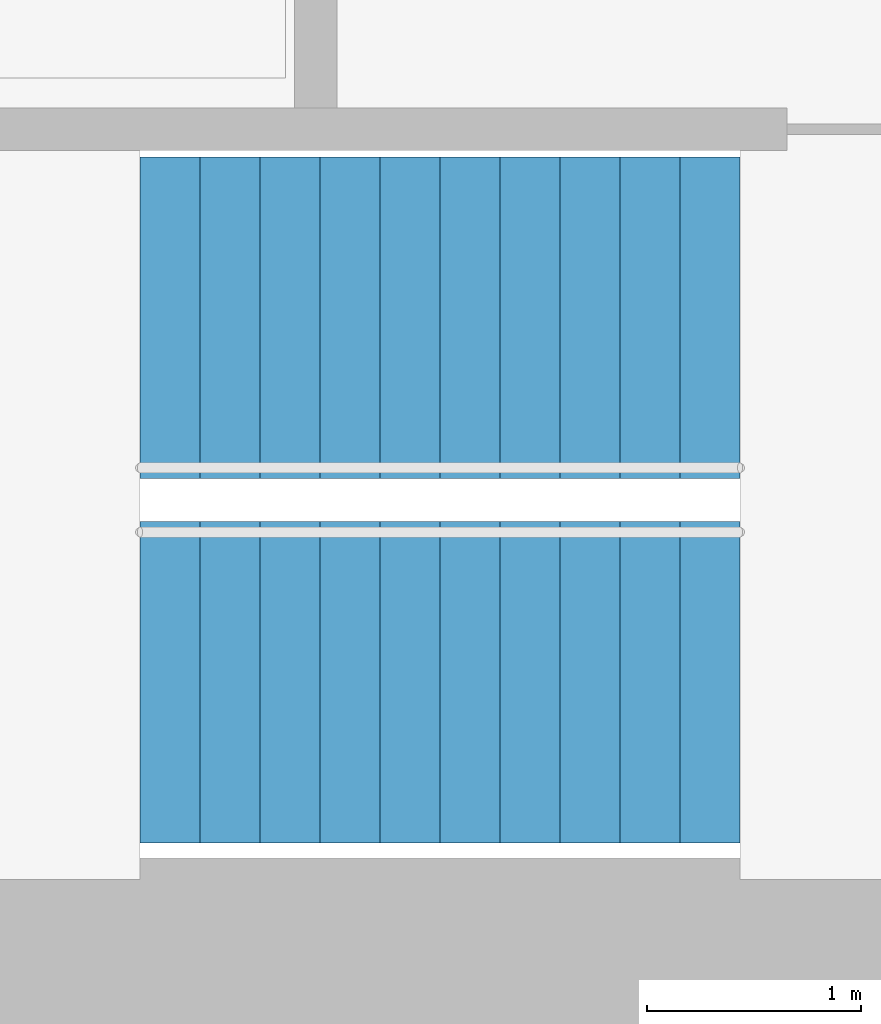
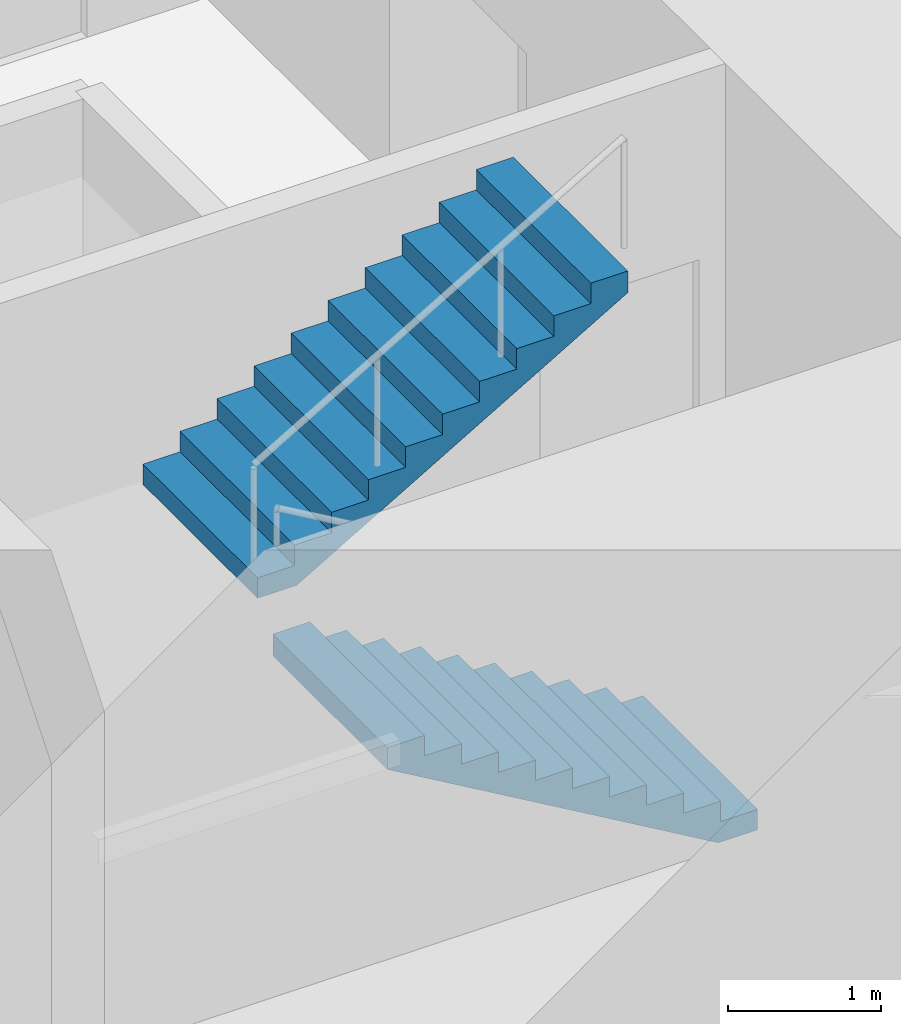
# One storey, part 14 of 15: 2 stair flights, 1 element without a shape of its own.
"""IFC4 building model written with IfcOpenShell, lengths in metres."""

from ifc_helpers import new_model, si_unit, direction, frame, origin, place, context, subcontext, project, spatial, triangles, material, type_object, element, aggregate, save


model = new_model("IFC4")

# Units and contexts
model_context = context("Model", 3, precision=1e-05, world=origin(), true_north=direction((0.0, 1.0)))
body_context = subcontext(model_context, "Body", "Model", "MODEL_VIEW")
ifc_project = project(units=[si_unit("LENGTHUNIT", "METRE"), si_unit("AREAUNIT", "SQUARE_METRE"), si_unit("VOLUMEUNIT", "CUBIC_METRE"), si_unit("PLANEANGLEUNIT", "RADIAN"), si_unit("MASSUNIT", "GRAM", prefix="KILO")], contexts=[model_context])

# Site, building, storey
site_placement = place(None, origin())
site = spatial("IfcSite", under=ifc_project, at=site_placement, CompositionType="ELEMENT")
building_placement = place(site_placement, origin())
building = spatial("IfcBuilding", under=site, at=building_placement, Name="Lantaw Convention Tower", CompositionType="ELEMENT")
storey_placement = place(building_placement, frame((0.0, 0.0, 101.800048828125)))
storey = spatial("IfcBuildingStorey", under=building, at=storey_placement, Name="L24", CompositionType="ELEMENT", Elevation=101.800048828125)

# Stair, stair flights
ifc_material = material(Name="Concrete C35/45", Category="concrete")
stair_type = type_object("IfcStairType", Name="Exit stair 1500 riser 163.64 in 2 flights", PredefinedType="HALF_TURN_STAIR", material=ifc_material)
stair_placement = place(storey_placement, origin())
stair = element("IfcStair", 1, at=stair_placement, inside=storey, type_object=stair_type, Name="Exit stair S2 L24", PredefinedType="HALF_TURN_STAIR")
stair_flight_type = type_object("IfcStairFlightType", Name="Stair flight 1500 riser 163.64", PredefinedType="STRAIGHT", material=ifc_material)
stair_flight_1_placement = place(storey_placement, frame((10.580078125, -5.97998046875, 0.0), z_axis=(0.0, 0.0, 1.0), x_axis=(-1.0, 0.0, 0.0)))
stair_flight_1 = element("IfcStairFlight", 2, at=stair_flight_1_placement, type_object=stair_flight_type, Name="S2 flight 1", NumberOfRisers=11, NumberOfTreads=10, PredefinedType="STRAIGHT", RiserHeight=0.163636364, TreadLength=0.28, context=body_context, shape_type="Tessellation", body=[
    triangles([(0.0, 0.75, 0.0), (0.0, 0.75, 0.163636364), (0.28, 0.75, 0.0), (0.28, 0.75, 0.163636364), (0.28, 0.75, 0.327272728), (0.2970904571225277, 0.75, 0.0), (0.2970904571225277, 0.75, 0.327272728), (0.56, 0.75, 0.1536484344906131), (0.56, 0.75, 0.327272728), (0.56, 0.75, 0.490909092), (0.8400000000000001, 0.75, 0.3172847984906131), (0.8400000000000001, 0.75, 0.490909092), (0.8400000000000001, 0.75, 0.654545456), (1.12, 0.75, 0.4809211624906131), (1.12, 0.75, 0.654545456), (1.12, 0.75, 0.8181818200000001), (1.4000000000000001, 0.75, 0.6445575264906132), (1.4000000000000001, 0.75, 0.8181818200000001), (1.4000000000000001, 0.75, 0.981818184), (1.6800000000000002, 0.75, 0.8081938904906131), (1.6800000000000002, 0.75, 0.981818184), (1.6800000000000002, 0.75, 1.145454548), (1.9600000000000002, 0.75, 0.9718302544906131), (1.9600000000000002, 0.75, 1.145454548), (1.9600000000000002, 0.75, 1.309090912), (2.24, 0.75, 1.135466618490613), (2.24, 0.75, 1.309090912), (2.24, 0.75, 1.472727276), (2.5200000000000005, 0.75, 1.2991029824906133), (2.5200000000000005, 0.75, 1.472727276), (2.5200000000000005, 0.75, 1.6363636400000001), (2.8000000000000003, 0.75, 1.462739346490613), (2.8000000000000003, 0.75, 1.6363636400000001), (0.0, -0.75, 0.0), (0.0, -0.75, 0.163636364), (0.28, -0.75, 0.0), (0.28, -0.75, 0.163636364), (0.28, -0.75, 0.327272728), (0.2970904571225277, -0.75, 0.0), (0.2970904571225277, -0.75, 0.327272728), (0.56, -0.75, 0.1536484344906131), (0.56, -0.75, 0.327272728), (0.56, -0.75, 0.490909092), (0.8400000000000001, -0.75, 0.3172847984906131), (0.8400000000000001, -0.75, 0.490909092), (0.8400000000000001, -0.75, 0.654545456), (1.12, -0.75, 0.4809211624906131), (1.12, -0.75, 0.654545456), (1.12, -0.75, 0.8181818200000001), (1.4000000000000001, -0.75, 0.6445575264906132), (1.4000000000000001, -0.75, 0.8181818200000001), (1.4000000000000001, -0.75, 0.981818184), (1.6800000000000002, -0.75, 0.8081938904906131), (1.6800000000000002, -0.75, 0.981818184), (1.6800000000000002, -0.75, 1.145454548), (1.9600000000000002, -0.75, 0.9718302544906131), (1.9600000000000002, -0.75, 1.145454548), (1.9600000000000002, -0.75, 1.309090912), (2.24, -0.75, 1.135466618490613), (2.24, -0.75, 1.309090912), (2.24, -0.75, 1.472727276), (2.5200000000000005, -0.75, 1.2991029824906133), (2.5200000000000005, -0.75, 1.472727276), (2.5200000000000005, -0.75, 1.6363636400000001), (2.8000000000000003, -0.75, 1.462739346490613), (2.8000000000000003, -0.75, 1.6363636400000001), (0.0, 0.15000000000000002, 0.163636364), (0.0, 0.15000000000000002, 0.0), (0.0, 0.0, 0.163636364), (0.0, 0.0, 0.0), (0.0, -0.15000000000000002, 0.163636364), (0.0, -0.15000000000000002, 0.0), (0.28, 0.15000000000000002, 0.327272728), (0.28, 0.15000000000000002, 0.163636364), (0.28, 0.0, 0.327272728), (0.28, 0.0, 0.163636364), (0.28, -0.15000000000000002, 0.327272728), (0.28, -0.15000000000000002, 0.163636364), (0.56, 0.15000000000000002, 0.490909092), (0.56, 0.15000000000000002, 0.327272728), (0.56, 0.0, 0.490909092), (0.56, 0.0, 0.327272728), (0.56, -0.15000000000000002, 0.490909092), (0.56, -0.15000000000000002, 0.327272728), (0.8400000000000001, 0.15000000000000002, 0.654545456), (0.8400000000000001, 0.15000000000000002, 0.490909092), (0.8400000000000001, 0.0, 0.654545456), (0.8400000000000001, 0.0, 0.490909092), (0.8400000000000001, -0.15000000000000002, 0.654545456), (0.8400000000000001, -0.15000000000000002, 0.490909092), (1.12, 0.15000000000000002, 0.8181818200000001), (1.12, 0.15000000000000002, 0.654545456), (1.12, 0.0, 0.8181818200000001), (1.12, 0.0, 0.654545456), (1.12, -0.15000000000000002, 0.8181818200000001), (1.12, -0.15000000000000002, 0.654545456), (1.4000000000000001, 0.15000000000000002, 0.981818184), (1.4000000000000001, 0.15000000000000002, 0.8181818200000001), (1.4000000000000001, 0.0, 0.981818184), (1.4000000000000001, 0.0, 0.8181818200000001), (1.4000000000000001, -0.15000000000000002, 0.981818184), (1.4000000000000001, -0.15000000000000002, 0.8181818200000001), (1.6800000000000002, 0.15000000000000002, 1.145454548), (1.6800000000000002, 0.15000000000000002, 0.981818184), (1.6800000000000002, 0.0, 1.145454548), (1.6800000000000002, 0.0, 0.981818184), (1.6800000000000002, -0.15000000000000002, 1.145454548), (1.6800000000000002, -0.15000000000000002, 0.981818184), (1.9600000000000002, 0.15000000000000002, 1.309090912), (1.9600000000000002, 0.15000000000000002, 1.145454548), (1.9600000000000002, 0.0, 1.309090912), (1.9600000000000002, 0.0, 1.145454548), (1.9600000000000002, -0.15000000000000002, 1.309090912), (1.9600000000000002, -0.15000000000000002, 1.145454548), (2.24, 0.15000000000000002, 1.472727276), (2.24, 0.15000000000000002, 1.309090912), (2.24, 0.0, 1.472727276), (2.24, 0.0, 1.309090912), (2.24, -0.15000000000000002, 1.472727276), (2.24, -0.15000000000000002, 1.309090912), (2.5200000000000005, 0.15000000000000002, 1.6363636400000001), (2.5200000000000005, 0.15000000000000002, 1.472727276), (2.5200000000000005, 0.0, 1.6363636400000001), (2.5200000000000005, 0.0, 1.472727276), (2.5200000000000005, -0.15000000000000002, 1.6363636400000001), (2.5200000000000005, -0.15000000000000002, 1.472727276), (0.2970904571225277, 0.15000000000000002, 0.327272728), (0.2970904571225277, 0.0, 0.327272728), (0.2970904571225277, -0.15000000000000002, 0.327272728), (2.8000000000000003, 0.15000000000000002, 1.6363636400000001), (2.8000000000000003, 0.0, 1.6363636400000001), (2.8000000000000003, -0.15000000000000002, 1.6363636400000001), (2.8000000000000003, 0.15000000000000002, 1.462739346490613), (2.8000000000000003, 0.0, 1.462739346490613), (2.8000000000000003, -0.15000000000000002, 1.462739346490613), (2.5200000000000005, 0.15000000000000002, 1.2991029824906133), (2.5200000000000005, 0.0, 1.2991029824906133), (2.5200000000000005, -0.15000000000000002, 1.2991029824906133), (2.24, 0.15000000000000002, 1.135466618490613), (2.24, 0.0, 1.135466618490613), (2.24, -0.15000000000000002, 1.135466618490613), (1.9600000000000002, 0.15000000000000002, 0.9718302544906131), (1.9600000000000002, 0.0, 0.9718302544906131), (1.9600000000000002, -0.15000000000000002, 0.9718302544906131), (1.6800000000000002, 0.15000000000000002, 0.8081938904906131), (1.6800000000000002, 0.0, 0.8081938904906131), (1.6800000000000002, -0.15000000000000002, 0.8081938904906131), (1.4000000000000001, 0.15000000000000002, 0.6445575264906132), (1.4000000000000001, 0.0, 0.6445575264906132), (1.4000000000000001, -0.15000000000000002, 0.6445575264906132), (1.12, 0.15000000000000002, 0.4809211624906131), (1.12, 0.0, 0.4809211624906131), (1.12, -0.15000000000000002, 0.4809211624906131), (0.8400000000000001, 0.15000000000000002, 0.3172847984906131), (0.8400000000000001, 0.0, 0.3172847984906131), (0.8400000000000001, -0.15000000000000002, 0.3172847984906131), (0.56, 0.15000000000000002, 0.1536484344906131), (0.56, 0.0, 0.1536484344906131), (0.56, -0.15000000000000002, 0.1536484344906131), (0.2970904571225277, 0.15000000000000002, 0.0), (0.2970904571225277, 0.0, 0.0), (0.2970904571225277, -0.15000000000000002, 0.0), (0.28, 0.15000000000000002, 0.0), (0.28, 0.0, 0.0), (0.28, -0.15000000000000002, 0.0)], [[1, 4, 3], [1, 2, 4], [3, 4, 6], [4, 7, 6], [4, 5, 7], [6, 9, 8], [6, 7, 9], [8, 9, 11], [9, 12, 11], [9, 10, 12], [11, 12, 14], [12, 15, 14], [12, 13, 15], [14, 15, 17], [15, 18, 17], [15, 16, 18], [17, 18, 20], [18, 21, 20], [18, 19, 21], [20, 21, 23], [21, 24, 23], [21, 22, 24], [23, 24, 26], [24, 27, 26], [24, 25, 27], [26, 27, 29], [27, 30, 29], [27, 28, 30], [29, 30, 32], [30, 33, 32], [30, 31, 33], [34, 36, 37], [34, 37, 35], [36, 39, 37], [37, 39, 40], [37, 40, 38], [39, 41, 42], [39, 42, 40], [41, 44, 42], [42, 44, 45], [42, 45, 43], [44, 47, 45], [45, 47, 48], [45, 48, 46], [47, 50, 48], [48, 50, 51], [48, 51, 49], [50, 53, 51], [51, 53, 54], [51, 54, 52], [53, 56, 54], [54, 56, 57], [54, 57, 55], [56, 59, 57], [57, 59, 60], [57, 60, 58], [59, 62, 60], [60, 62, 63], [60, 63, 61], [62, 65, 63], [63, 65, 66], [63, 66, 64], [1, 67, 2], [1, 68, 67], [68, 69, 67], [68, 70, 69], [70, 71, 69], [70, 72, 71], [72, 35, 71], [72, 34, 35], [4, 73, 5], [4, 74, 73], [74, 75, 73], [74, 76, 75], [76, 77, 75], [76, 78, 77], [78, 38, 77], [78, 37, 38], [9, 79, 10], [9, 80, 79], [80, 81, 79], [80, 82, 81], [82, 83, 81], [82, 84, 83], [84, 43, 83], [84, 42, 43], [12, 85, 13], [12, 86, 85], [86, 87, 85], [86, 88, 87], [88, 89, 87], [88, 90, 89], [90, 46, 89], [90, 45, 46], [15, 91, 16], [15, 92, 91], [92, 93, 91], [92, 94, 93], [94, 95, 93], [94, 96, 95], [96, 49, 95], [96, 48, 49], [18, 97, 19], [18, 98, 97], [98, 99, 97], [98, 100, 99], [100, 101, 99], [100, 102, 101], [102, 52, 101], [102, 51, 52], [21, 103, 22], [21, 104, 103], [104, 105, 103], [104, 106, 105], [106, 107, 105], [106, 108, 107], [108, 55, 107], [108, 54, 55], [24, 109, 25], [24, 110, 109], [110, 111, 109], [110, 112, 111], [112, 113, 111], [112, 114, 113], [114, 58, 113], [114, 57, 58], [27, 115, 28], [27, 116, 115], [116, 117, 115], [116, 118, 117], [118, 119, 117], [118, 120, 119], [120, 61, 119], [120, 60, 61], [30, 121, 31], [30, 122, 121], [122, 123, 121], [122, 124, 123], [124, 125, 123], [124, 126, 125], [126, 64, 125], [126, 63, 64], [2, 74, 4], [2, 67, 74], [67, 76, 74], [67, 69, 76], [69, 78, 76], [69, 71, 78], [71, 37, 78], [71, 35, 37], [5, 127, 7], [5, 73, 127], [73, 128, 127], [73, 75, 128], [75, 129, 128], [75, 77, 129], [77, 40, 129], [77, 38, 40], [7, 80, 9], [7, 127, 80], [127, 82, 80], [127, 128, 82], [128, 84, 82], [128, 129, 84], [129, 42, 84], [129, 40, 42], [10, 86, 12], [10, 79, 86], [79, 88, 86], [79, 81, 88], [81, 90, 88], [81, 83, 90], [83, 45, 90], [83, 43, 45], [13, 92, 15], [13, 85, 92], [85, 94, 92], [85, 87, 94], [87, 96, 94], [87, 89, 96], [89, 48, 96], [89, 46, 48], [16, 98, 18], [16, 91, 98], [91, 100, 98], [91, 93, 100], [93, 102, 100], [93, 95, 102], [95, 51, 102], [95, 49, 51], [19, 104, 21], [19, 97, 104], [97, 106, 104], [97, 99, 106], [99, 108, 106], [99, 101, 108], [101, 54, 108], [101, 52, 54], [22, 110, 24], [22, 103, 110], [103, 112, 110], [103, 105, 112], [105, 114, 112], [105, 107, 114], [107, 57, 114], [107, 55, 57], [25, 116, 27], [25, 109, 116], [109, 118, 116], [109, 111, 118], [111, 120, 118], [111, 113, 120], [113, 60, 120], [113, 58, 60], [28, 122, 30], [28, 115, 122], [115, 124, 122], [115, 117, 124], [117, 126, 124], [117, 119, 126], [119, 63, 126], [119, 61, 63], [31, 130, 33], [31, 121, 130], [121, 131, 130], [121, 123, 131], [123, 132, 131], [123, 125, 132], [125, 66, 132], [125, 64, 66], [33, 133, 32], [33, 130, 133], [130, 134, 133], [130, 131, 134], [131, 135, 134], [131, 132, 135], [132, 65, 135], [132, 66, 65], [32, 136, 29], [32, 133, 136], [133, 137, 136], [133, 134, 137], [134, 138, 137], [134, 135, 138], [135, 62, 138], [135, 65, 62], [29, 139, 26], [29, 136, 139], [136, 140, 139], [136, 137, 140], [137, 141, 140], [137, 138, 141], [138, 59, 141], [138, 62, 59], [26, 142, 23], [26, 139, 142], [139, 143, 142], [139, 140, 143], [140, 144, 143], [140, 141, 144], [141, 56, 144], [141, 59, 56], [23, 145, 20], [23, 142, 145], [142, 146, 145], [142, 143, 146], [143, 147, 146], [143, 144, 147], [144, 53, 147], [144, 56, 53], [20, 148, 17], [20, 145, 148], [145, 149, 148], [145, 146, 149], [146, 150, 149], [146, 147, 150], [147, 50, 150], [147, 53, 50], [17, 151, 14], [17, 148, 151], [148, 152, 151], [148, 149, 152], [149, 153, 152], [149, 150, 153], [150, 47, 153], [150, 50, 47], [14, 154, 11], [14, 151, 154], [151, 155, 154], [151, 152, 155], [152, 156, 155], [152, 153, 156], [153, 44, 156], [153, 47, 44], [11, 157, 8], [11, 154, 157], [154, 158, 157], [154, 155, 158], [155, 159, 158], [155, 156, 159], [156, 41, 159], [156, 44, 41], [8, 160, 6], [8, 157, 160], [157, 161, 160], [157, 158, 161], [158, 162, 161], [158, 159, 162], [159, 39, 162], [159, 41, 39], [6, 163, 3], [6, 160, 163], [160, 164, 163], [160, 161, 164], [161, 165, 164], [161, 162, 165], [162, 36, 165], [162, 39, 36], [3, 68, 1], [3, 163, 68], [163, 70, 68], [163, 164, 70], [164, 72, 70], [164, 165, 72], [165, 34, 72], [165, 36, 34]], closed=True),
])
stair_flight_2_placement = place(storey_placement, frame((7.780029296875, -4.280029296875, 1.800048828125), z_axis=(0.0, 0.0, 1.0), x_axis=(1.0, 0.0, 0.0)))
stair_flight_2 = element("IfcStairFlight", 3, at=stair_flight_2_placement, type_object=stair_flight_type, Name="S2 flight 2", NumberOfRisers=11, NumberOfTreads=10, PredefinedType="STRAIGHT", RiserHeight=0.163636364, TreadLength=0.28, context=body_context, shape_type="Tessellation", body=[
    triangles([(0.0, 0.75, 0.0), (0.0, 0.75, 0.163636364), (0.28, 0.75, 0.0), (0.28, 0.75, 0.163636364), (0.28, 0.75, 0.327272728), (0.2970904571225277, 0.75, 0.0), (0.2970904571225277, 0.75, 0.327272728), (0.56, 0.75, 0.1536484344906131), (0.56, 0.75, 0.327272728), (0.56, 0.75, 0.490909092), (0.8400000000000001, 0.75, 0.3172847984906131), (0.8400000000000001, 0.75, 0.490909092), (0.8400000000000001, 0.75, 0.654545456), (1.12, 0.75, 0.4809211624906131), (1.12, 0.75, 0.654545456), (1.12, 0.75, 0.8181818200000001), (1.4000000000000001, 0.75, 0.6445575264906132), (1.4000000000000001, 0.75, 0.8181818200000001), (1.4000000000000001, 0.75, 0.981818184), (1.6800000000000002, 0.75, 0.8081938904906131), (1.6800000000000002, 0.75, 0.981818184), (1.6800000000000002, 0.75, 1.145454548), (1.9600000000000002, 0.75, 0.9718302544906131), (1.9600000000000002, 0.75, 1.145454548), (1.9600000000000002, 0.75, 1.309090912), (2.24, 0.75, 1.135466618490613), (2.24, 0.75, 1.309090912), (2.24, 0.75, 1.472727276), (2.5200000000000005, 0.75, 1.2991029824906133), (2.5200000000000005, 0.75, 1.472727276), (2.5200000000000005, 0.75, 1.6363636400000001), (2.8000000000000003, 0.75, 1.462739346490613), (2.8000000000000003, 0.75, 1.6363636400000001), (0.0, -0.75, 0.0), (0.0, -0.75, 0.163636364), (0.28, -0.75, 0.0), (0.28, -0.75, 0.163636364), (0.28, -0.75, 0.327272728), (0.2970904571225277, -0.75, 0.0), (0.2970904571225277, -0.75, 0.327272728), (0.56, -0.75, 0.1536484344906131), (0.56, -0.75, 0.327272728), (0.56, -0.75, 0.490909092), (0.8400000000000001, -0.75, 0.3172847984906131), (0.8400000000000001, -0.75, 0.490909092), (0.8400000000000001, -0.75, 0.654545456), (1.12, -0.75, 0.4809211624906131), (1.12, -0.75, 0.654545456), (1.12, -0.75, 0.8181818200000001), (1.4000000000000001, -0.75, 0.6445575264906132), (1.4000000000000001, -0.75, 0.8181818200000001), (1.4000000000000001, -0.75, 0.981818184), (1.6800000000000002, -0.75, 0.8081938904906131), (1.6800000000000002, -0.75, 0.981818184), (1.6800000000000002, -0.75, 1.145454548), (1.9600000000000002, -0.75, 0.9718302544906131), (1.9600000000000002, -0.75, 1.145454548), (1.9600000000000002, -0.75, 1.309090912), (2.24, -0.75, 1.135466618490613), (2.24, -0.75, 1.309090912), (2.24, -0.75, 1.472727276), (2.5200000000000005, -0.75, 1.2991029824906133), (2.5200000000000005, -0.75, 1.472727276), (2.5200000000000005, -0.75, 1.6363636400000001), (2.8000000000000003, -0.75, 1.462739346490613), (2.8000000000000003, -0.75, 1.6363636400000001), (0.0, 0.15000000000000002, 0.163636364), (0.0, 0.15000000000000002, 0.0), (0.0, 0.0, 0.163636364), (0.0, 0.0, 0.0), (0.0, -0.15000000000000002, 0.163636364), (0.0, -0.15000000000000002, 0.0), (0.28, 0.15000000000000002, 0.327272728), (0.28, 0.15000000000000002, 0.163636364), (0.28, 0.0, 0.327272728), (0.28, 0.0, 0.163636364), (0.28, -0.15000000000000002, 0.327272728), (0.28, -0.15000000000000002, 0.163636364), (0.56, 0.15000000000000002, 0.490909092), (0.56, 0.15000000000000002, 0.327272728), (0.56, 0.0, 0.490909092), (0.56, 0.0, 0.327272728), (0.56, -0.15000000000000002, 0.490909092), (0.56, -0.15000000000000002, 0.327272728), (0.8400000000000001, 0.15000000000000002, 0.654545456), (0.8400000000000001, 0.15000000000000002, 0.490909092), (0.8400000000000001, 0.0, 0.654545456), (0.8400000000000001, 0.0, 0.490909092), (0.8400000000000001, -0.15000000000000002, 0.654545456), (0.8400000000000001, -0.15000000000000002, 0.490909092), (1.12, 0.15000000000000002, 0.8181818200000001), (1.12, 0.15000000000000002, 0.654545456), (1.12, 0.0, 0.8181818200000001), (1.12, 0.0, 0.654545456), (1.12, -0.15000000000000002, 0.8181818200000001), (1.12, -0.15000000000000002, 0.654545456), (1.4000000000000001, 0.15000000000000002, 0.981818184), (1.4000000000000001, 0.15000000000000002, 0.8181818200000001), (1.4000000000000001, 0.0, 0.981818184), (1.4000000000000001, 0.0, 0.8181818200000001), (1.4000000000000001, -0.15000000000000002, 0.981818184), (1.4000000000000001, -0.15000000000000002, 0.8181818200000001), (1.6800000000000002, 0.15000000000000002, 1.145454548), (1.6800000000000002, 0.15000000000000002, 0.981818184), (1.6800000000000002, 0.0, 1.145454548), (1.6800000000000002, 0.0, 0.981818184), (1.6800000000000002, -0.15000000000000002, 1.145454548), (1.6800000000000002, -0.15000000000000002, 0.981818184), (1.9600000000000002, 0.15000000000000002, 1.309090912), (1.9600000000000002, 0.15000000000000002, 1.145454548), (1.9600000000000002, 0.0, 1.309090912), (1.9600000000000002, 0.0, 1.145454548), (1.9600000000000002, -0.15000000000000002, 1.309090912), (1.9600000000000002, -0.15000000000000002, 1.145454548), (2.24, 0.15000000000000002, 1.472727276), (2.24, 0.15000000000000002, 1.309090912), (2.24, 0.0, 1.472727276), (2.24, 0.0, 1.309090912), (2.24, -0.15000000000000002, 1.472727276), (2.24, -0.15000000000000002, 1.309090912), (2.5200000000000005, 0.15000000000000002, 1.6363636400000001), (2.5200000000000005, 0.15000000000000002, 1.472727276), (2.5200000000000005, 0.0, 1.6363636400000001), (2.5200000000000005, 0.0, 1.472727276), (2.5200000000000005, -0.15000000000000002, 1.6363636400000001), (2.5200000000000005, -0.15000000000000002, 1.472727276), (0.2970904571225277, 0.15000000000000002, 0.327272728), (0.2970904571225277, 0.0, 0.327272728), (0.2970904571225277, -0.15000000000000002, 0.327272728), (2.8000000000000003, 0.15000000000000002, 1.6363636400000001), (2.8000000000000003, 0.0, 1.6363636400000001), (2.8000000000000003, -0.15000000000000002, 1.6363636400000001), (2.8000000000000003, 0.15000000000000002, 1.462739346490613), (2.8000000000000003, 0.0, 1.462739346490613), (2.8000000000000003, -0.15000000000000002, 1.462739346490613), (2.5200000000000005, 0.15000000000000002, 1.2991029824906133), (2.5200000000000005, 0.0, 1.2991029824906133), (2.5200000000000005, -0.15000000000000002, 1.2991029824906133), (2.24, 0.15000000000000002, 1.135466618490613), (2.24, 0.0, 1.135466618490613), (2.24, -0.15000000000000002, 1.135466618490613), (1.9600000000000002, 0.15000000000000002, 0.9718302544906131), (1.9600000000000002, 0.0, 0.9718302544906131), (1.9600000000000002, -0.15000000000000002, 0.9718302544906131), (1.6800000000000002, 0.15000000000000002, 0.8081938904906131), (1.6800000000000002, 0.0, 0.8081938904906131), (1.6800000000000002, -0.15000000000000002, 0.8081938904906131), (1.4000000000000001, 0.15000000000000002, 0.6445575264906132), (1.4000000000000001, 0.0, 0.6445575264906132), (1.4000000000000001, -0.15000000000000002, 0.6445575264906132), (1.12, 0.15000000000000002, 0.4809211624906131), (1.12, 0.0, 0.4809211624906131), (1.12, -0.15000000000000002, 0.4809211624906131), (0.8400000000000001, 0.15000000000000002, 0.3172847984906131), (0.8400000000000001, 0.0, 0.3172847984906131), (0.8400000000000001, -0.15000000000000002, 0.3172847984906131), (0.56, 0.15000000000000002, 0.1536484344906131), (0.56, 0.0, 0.1536484344906131), (0.56, -0.15000000000000002, 0.1536484344906131), (0.2970904571225277, 0.15000000000000002, 0.0), (0.2970904571225277, 0.0, 0.0), (0.2970904571225277, -0.15000000000000002, 0.0), (0.28, 0.15000000000000002, 0.0), (0.28, 0.0, 0.0), (0.28, -0.15000000000000002, 0.0)], [[1, 4, 3], [1, 2, 4], [3, 4, 6], [4, 7, 6], [4, 5, 7], [6, 9, 8], [6, 7, 9], [8, 9, 11], [9, 12, 11], [9, 10, 12], [11, 12, 14], [12, 15, 14], [12, 13, 15], [14, 15, 17], [15, 18, 17], [15, 16, 18], [17, 18, 20], [18, 21, 20], [18, 19, 21], [20, 21, 23], [21, 24, 23], [21, 22, 24], [23, 24, 26], [24, 27, 26], [24, 25, 27], [26, 27, 29], [27, 30, 29], [27, 28, 30], [29, 30, 32], [30, 33, 32], [30, 31, 33], [34, 36, 37], [34, 37, 35], [36, 39, 37], [37, 39, 40], [37, 40, 38], [39, 41, 42], [39, 42, 40], [41, 44, 42], [42, 44, 45], [42, 45, 43], [44, 47, 45], [45, 47, 48], [45, 48, 46], [47, 50, 48], [48, 50, 51], [48, 51, 49], [50, 53, 51], [51, 53, 54], [51, 54, 52], [53, 56, 54], [54, 56, 57], [54, 57, 55], [56, 59, 57], [57, 59, 60], [57, 60, 58], [59, 62, 60], [60, 62, 63], [60, 63, 61], [62, 65, 63], [63, 65, 66], [63, 66, 64], [1, 67, 2], [1, 68, 67], [68, 69, 67], [68, 70, 69], [70, 71, 69], [70, 72, 71], [72, 35, 71], [72, 34, 35], [4, 73, 5], [4, 74, 73], [74, 75, 73], [74, 76, 75], [76, 77, 75], [76, 78, 77], [78, 38, 77], [78, 37, 38], [9, 79, 10], [9, 80, 79], [80, 81, 79], [80, 82, 81], [82, 83, 81], [82, 84, 83], [84, 43, 83], [84, 42, 43], [12, 85, 13], [12, 86, 85], [86, 87, 85], [86, 88, 87], [88, 89, 87], [88, 90, 89], [90, 46, 89], [90, 45, 46], [15, 91, 16], [15, 92, 91], [92, 93, 91], [92, 94, 93], [94, 95, 93], [94, 96, 95], [96, 49, 95], [96, 48, 49], [18, 97, 19], [18, 98, 97], [98, 99, 97], [98, 100, 99], [100, 101, 99], [100, 102, 101], [102, 52, 101], [102, 51, 52], [21, 103, 22], [21, 104, 103], [104, 105, 103], [104, 106, 105], [106, 107, 105], [106, 108, 107], [108, 55, 107], [108, 54, 55], [24, 109, 25], [24, 110, 109], [110, 111, 109], [110, 112, 111], [112, 113, 111], [112, 114, 113], [114, 58, 113], [114, 57, 58], [27, 115, 28], [27, 116, 115], [116, 117, 115], [116, 118, 117], [118, 119, 117], [118, 120, 119], [120, 61, 119], [120, 60, 61], [30, 121, 31], [30, 122, 121], [122, 123, 121], [122, 124, 123], [124, 125, 123], [124, 126, 125], [126, 64, 125], [126, 63, 64], [2, 74, 4], [2, 67, 74], [67, 76, 74], [67, 69, 76], [69, 78, 76], [69, 71, 78], [71, 37, 78], [71, 35, 37], [5, 127, 7], [5, 73, 127], [73, 128, 127], [73, 75, 128], [75, 129, 128], [75, 77, 129], [77, 40, 129], [77, 38, 40], [7, 80, 9], [7, 127, 80], [127, 82, 80], [127, 128, 82], [128, 84, 82], [128, 129, 84], [129, 42, 84], [129, 40, 42], [10, 86, 12], [10, 79, 86], [79, 88, 86], [79, 81, 88], [81, 90, 88], [81, 83, 90], [83, 45, 90], [83, 43, 45], [13, 92, 15], [13, 85, 92], [85, 94, 92], [85, 87, 94], [87, 96, 94], [87, 89, 96], [89, 48, 96], [89, 46, 48], [16, 98, 18], [16, 91, 98], [91, 100, 98], [91, 93, 100], [93, 102, 100], [93, 95, 102], [95, 51, 102], [95, 49, 51], [19, 104, 21], [19, 97, 104], [97, 106, 104], [97, 99, 106], [99, 108, 106], [99, 101, 108], [101, 54, 108], [101, 52, 54], [22, 110, 24], [22, 103, 110], [103, 112, 110], [103, 105, 112], [105, 114, 112], [105, 107, 114], [107, 57, 114], [107, 55, 57], [25, 116, 27], [25, 109, 116], [109, 118, 116], [109, 111, 118], [111, 120, 118], [111, 113, 120], [113, 60, 120], [113, 58, 60], [28, 122, 30], [28, 115, 122], [115, 124, 122], [115, 117, 124], [117, 126, 124], [117, 119, 126], [119, 63, 126], [119, 61, 63], [31, 130, 33], [31, 121, 130], [121, 131, 130], [121, 123, 131], [123, 132, 131], [123, 125, 132], [125, 66, 132], [125, 64, 66], [33, 133, 32], [33, 130, 133], [130, 134, 133], [130, 131, 134], [131, 135, 134], [131, 132, 135], [132, 65, 135], [132, 66, 65], [32, 136, 29], [32, 133, 136], [133, 137, 136], [133, 134, 137], [134, 138, 137], [134, 135, 138], [135, 62, 138], [135, 65, 62], [29, 139, 26], [29, 136, 139], [136, 140, 139], [136, 137, 140], [137, 141, 140], [137, 138, 141], [138, 59, 141], [138, 62, 59], [26, 142, 23], [26, 139, 142], [139, 143, 142], [139, 140, 143], [140, 144, 143], [140, 141, 144], [141, 56, 144], [141, 59, 56], [23, 145, 20], [23, 142, 145], [142, 146, 145], [142, 143, 146], [143, 147, 146], [143, 144, 147], [144, 53, 147], [144, 56, 53], [20, 148, 17], [20, 145, 148], [145, 149, 148], [145, 146, 149], [146, 150, 149], [146, 147, 150], [147, 50, 150], [147, 53, 50], [17, 151, 14], [17, 148, 151], [148, 152, 151], [148, 149, 152], [149, 153, 152], [149, 150, 153], [150, 47, 153], [150, 50, 47], [14, 154, 11], [14, 151, 154], [151, 155, 154], [151, 152, 155], [152, 156, 155], [152, 153, 156], [153, 44, 156], [153, 47, 44], [11, 157, 8], [11, 154, 157], [154, 158, 157], [154, 155, 158], [155, 159, 158], [155, 156, 159], [156, 41, 159], [156, 44, 41], [8, 160, 6], [8, 157, 160], [157, 161, 160], [157, 158, 161], [158, 162, 161], [158, 159, 162], [159, 39, 162], [159, 41, 39], [6, 163, 3], [6, 160, 163], [160, 164, 163], [160, 161, 164], [161, 165, 164], [161, 162, 165], [162, 36, 165], [162, 39, 36], [3, 68, 1], [3, 163, 68], [163, 70, 68], [163, 164, 70], [164, 72, 70], [164, 165, 72], [165, 34, 72], [165, 36, 34]], closed=True),
])
aggregate(stair, [stair_flight_1, stair_flight_2])

save(model, "model.ifc")
